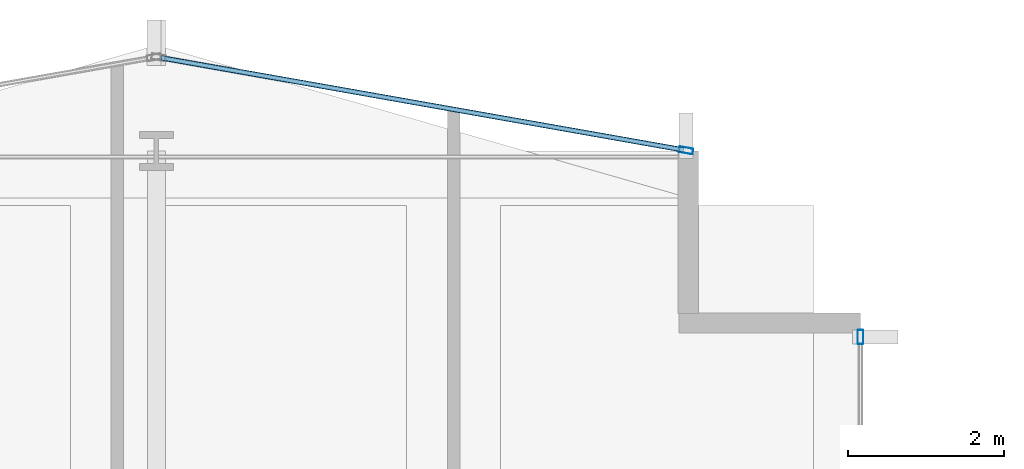
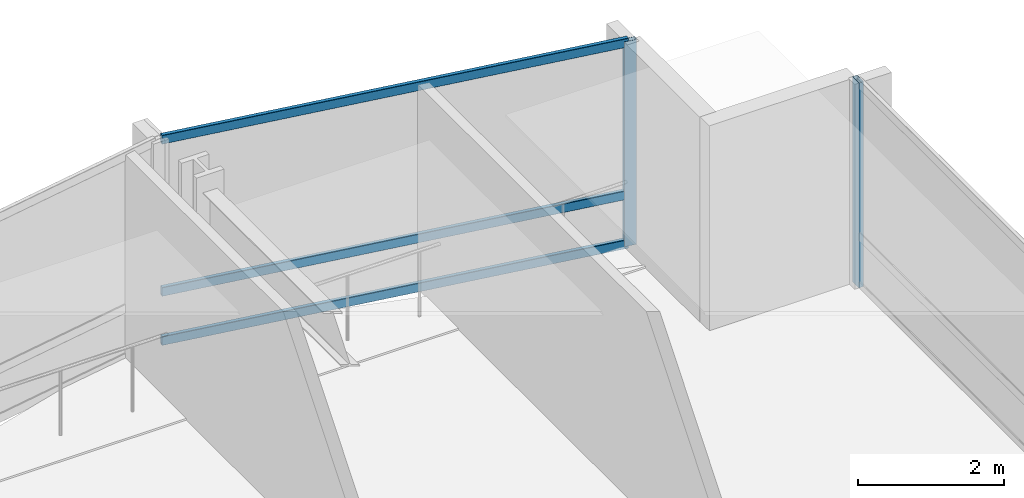
# One storey, part 24 of 34: 5 members, 2 elements without a shape of their own.
"""IFC4 building model written with IfcOpenShell, lengths in metres."""

from ifc_helpers import new_model, si_unit, direction, frame, origin, origin_2d, place, context, subcontext, project, spatial, hollow_rectangle, extrude, material, layer, layer_set, material_profile, profile_set, type_object, element, aggregate, save


model = new_model("IFC4")

# Units and contexts
model_context = context("Model", 3, precision=1e-05, world=origin(), true_north=direction((0.0, 1.0)))
body_context = subcontext(model_context, "Body", "Model", "MODEL_VIEW")
ifc_project = project(units=[si_unit("LENGTHUNIT", "METRE"), si_unit("AREAUNIT", "SQUARE_METRE"), si_unit("VOLUMEUNIT", "CUBIC_METRE"), si_unit("PLANEANGLEUNIT", "RADIAN"), si_unit("MASSUNIT", "GRAM", prefix="KILO")], contexts=[model_context])

# Site, building, storey
site_placement = place(None, origin())
site = spatial("IfcSite", under=ifc_project, at=site_placement, CompositionType="ELEMENT")
building_placement = place(site_placement, origin())
building = spatial("IfcBuilding", under=site, at=building_placement, Name="Solvaryn Broadcast Tower", CompositionType="ELEMENT")
storey_placement = place(building_placement, frame((0.0, 0.0, 65.60009765625)))
storey = spatial("IfcBuildingStorey", under=building, at=storey_placement, Name="L15", CompositionType="ELEMENT", Elevation=65.60009765625)

# Curtain wall, member
ifc_material_1 = material(Name="Aluminium and Terracotta Unitised Curtain Wall", Category="masonry")
ifc_layer = layer(ifc_material_1, 0.199951171875)
ifc_layer_set = layer_set([ifc_layer], Name="CW-SYS2-LOWMID")
curtain_wall_type = type_object("IfcCurtainWallType", Name="CW-SYS2-LOWMID", PredefinedType="NOTDEFINED", material=ifc_layer_set)
curtain_wall_1_placement = place(storey_placement, origin())
curtain_wall_1 = element("IfcCurtainWall", 1, at=curtain_wall_1_placement, inside=storey, type_object=curtain_wall_type, Name="L15 Curtain Wall IV", PredefinedType="NOTDEFINED")
ifc_material_2 = material(Name="Anodised Aluminium 6063-T6", Category="aluminium")
ifc_material_profile_1 = material_profile(ifc_material_2, hollow_rectangle(XDim=0.074951171875, YDim=0.179931640625, WallThickness=0.00390625, InnerFilletRadius=0.00390625, OuterFilletRadius=0.008056640625, at=origin_2d()))
ifc_profile_set_1 = profile_set([ifc_material_profile_1], Name="Anodised Aluminium 6063-T6")
member_type_1 = type_object("IfcMemberType", Name="CW-MUL-180", PredefinedType="MULLION", material=ifc_profile_set_1)
member_1_placement = place(storey_placement, frame((27.0, 51.6201171875, 0.0), z_axis=(0.0, 0.0, 1.0), x_axis=(1.0, 0.0, 0.0)))
member_1 = element("IfcMember", 2, at=member_1_placement, type_object=member_type_1, Name="CWS2 mullion 1", PredefinedType="MULLION", context=body_context, shape_type="SweptSolid", body=[
    extrude(hollow_rectangle(XDim=0.074951171875, YDim=0.179931640625, WallThickness=0.00390625, InnerFilletRadius=0.00390625, OuterFilletRadius=0.008056640625, at=origin_2d()), origin(), (0.0, 0.0, 1.0), 3.419921875),
])
aggregate(curtain_wall_1, [member_1])

# Curtain wall, members
curtain_wall_2_placement = place(storey_placement, origin())
curtain_wall_2 = element("IfcCurtainWall", 3, at=curtain_wall_2_placement, inside=storey, type_object=curtain_wall_type, Name="L15 Curtain Wall NT1", PredefinedType="NOTDEFINED")
member_2_placement = place(storey_placement, frame((24.7705078125, 54.005126953125, 0.0), z_axis=(0.0, 0.0, 1.0), x_axis=(-0.173785333901, -0.984783558819, 0.0)))
member_2 = element("IfcMember", 4, at=member_2_placement, type_object=member_type_1, Name="CWS2 mullion 1", PredefinedType="MULLION", context=body_context, shape_type="SweptSolid", body=[
    extrude(hollow_rectangle(XDim=0.074951171875, YDim=0.179931640625, WallThickness=0.00390625, InnerFilletRadius=0.00390625, OuterFilletRadius=0.008056640625, at=origin_2d()), origin(), (0.0, 0.0, 1.0), 3.419921875),
])
ifc_material_3 = material(Name="Anodised Aluminium 6063-T6", Category="aluminium")
ifc_material_profile_2 = material_profile(ifc_material_3, hollow_rectangle(XDim=0.06494140625, YDim=0.14990234375, WallThickness=0.00390625, InnerFilletRadius=0.00390625, OuterFilletRadius=0.008056640625, at=origin_2d()))
ifc_profile_set_2 = profile_set([ifc_material_profile_2], Name="Anodised Aluminium 6063-T6")
member_type_2 = type_object("IfcMemberType", Name="CW-TRN-150", PredefinedType="USERDEFINED", material=ifc_profile_set_2)
member_3_placement = place(storey_placement, frame((24.740966796875, 54.010498046875, 0.02978515625), z_axis=(-0.984788629673, 0.173756596613, 0.0), x_axis=(-0.173756596613, -0.984788629673, 0.0)))
member_3 = element("IfcMember", 5, at=member_3_placement, type_object=member_type_2, Name="CWS2 transom 1.1", ObjectType="TRANSOM", PredefinedType="USERDEFINED", context=body_context, shape_type="SweptSolid", body=[
    extrude(hollow_rectangle(XDim=0.06494140625, YDim=0.14990234375, WallThickness=0.00390625, InnerFilletRadius=0.00390625, OuterFilletRadius=0.008056640625, at=origin_2d()), origin(), (0.0, 0.0, 1.0), 6.78515625),
])
member_4_placement = place(storey_placement, frame((24.740966796875, 54.010498046875, 0.849853515625), z_axis=(-0.984788629673, 0.173756596613, 0.0), x_axis=(-0.173756596613, -0.984788629673, 0.0)))
member_4 = element("IfcMember", 6, at=member_4_placement, type_object=member_type_2, Name="CWS2 transom 1.2", ObjectType="TRANSOM", PredefinedType="USERDEFINED", context=body_context, shape_type="SweptSolid", body=[
    extrude(hollow_rectangle(XDim=0.06494140625, YDim=0.14990234375, WallThickness=0.00390625, InnerFilletRadius=0.00390625, OuterFilletRadius=0.008056640625, at=origin_2d()), origin(), (0.0, 0.0, 1.0), 6.78515625),
])
member_5_placement = place(storey_placement, frame((24.740966796875, 54.010498046875, 3.389892578125), z_axis=(-0.984788629673, 0.173756596613, 0.0), x_axis=(-0.173756596613, -0.984788629673, 0.0)))
member_5 = element("IfcMember", 7, at=member_5_placement, type_object=member_type_2, Name="CWS2 transom 1.3", ObjectType="TRANSOM", PredefinedType="USERDEFINED", context=body_context, shape_type="SweptSolid", body=[
    extrude(hollow_rectangle(XDim=0.06494140625, YDim=0.14990234375, WallThickness=0.00390625, InnerFilletRadius=0.00390625, OuterFilletRadius=0.008056640625, at=origin_2d()), origin(), (0.0, 0.0, 1.0), 6.78515625),
])
aggregate(curtain_wall_2, [member_2, member_3, member_4, member_5])

save(model, "model.ifc")
